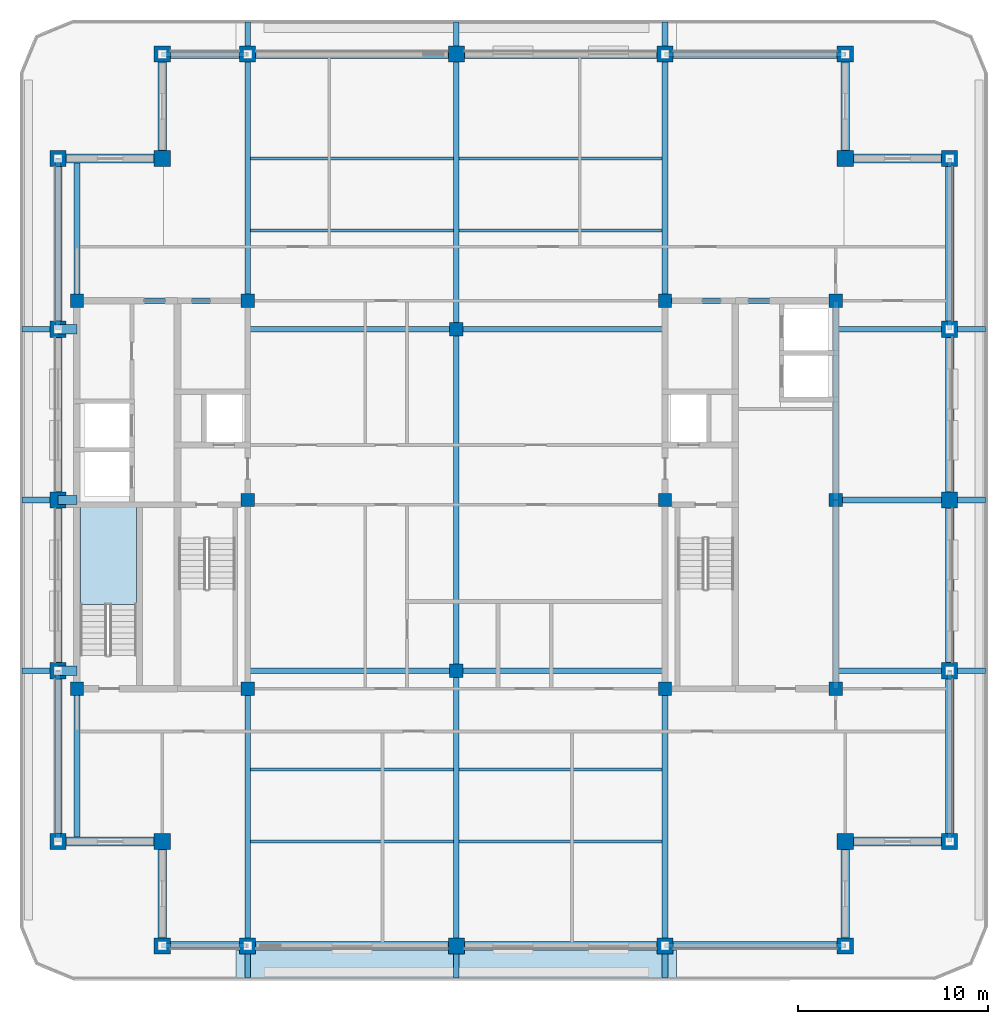
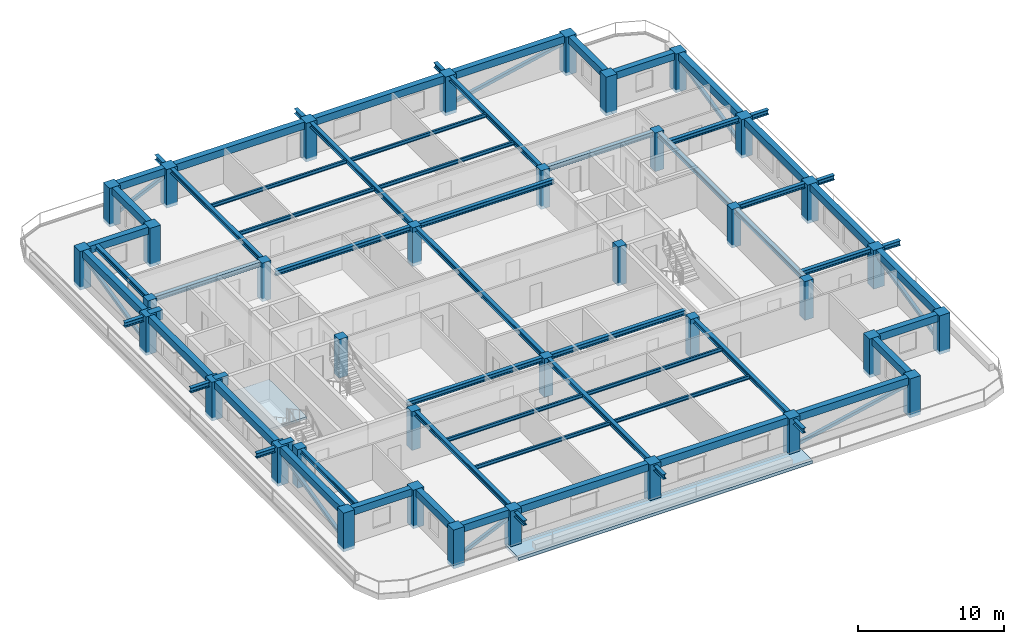
# One storey, part 1 of 11: 67 beams, 37 columns, 8 members, 2 slabs, 1 element without a shape of its own.
"""IFC4 building model written with IfcOpenShell, lengths in metres."""

import ifcopenshell
import ifcopenshell.guid

model = None  # the IFC model being written
_history = None  # IfcOwnerHistory: only IFC2X3 demands one
_inside = {}  # id of a spatial element -> (the spatial element, [elements in it])
_under = {}  # id of a project, library or spatial element -> (it, [spatial elements below it])
_declared = {}  # id of a project -> (the project, [libraries it declares])
_typed = {}  # id of a type object -> (the type object, [elements of that type])
_made_of = {}  # id of a material, layer set ... -> (it, [elements and type objects made of it])


def new_model(schema):
    """Start an empty IFC model of exactly this schema.

    Asked for "IFC4X3", IfcOpenShell would pick the latest addendum, in which some entities
    have other attributes; the version numbers below select the first issue.
    IFC2X3 requires an IfcOwnerHistory on every rooted entity: one is made here for all.
    """
    global model, _history
    if schema == "IFC4X3":
        model = ifcopenshell.file(schema_version=(4, 3, 0, 0))
    else:
        model = ifcopenshell.file(schema=schema)
    _inside.clear()
    _under.clear()
    _declared.clear()
    _typed.clear()
    _made_of.clear()
    _history = None
    if model.schema == "IFC2X3":
        org = make("IfcOrganization", Name="unknown")
        user = make(
            "IfcPersonAndOrganization",
            ThePerson=make("IfcPerson", FamilyName="unknown"),
            TheOrganization=org,
        )
        app = make(
            "IfcApplication",
            ApplicationDeveloper=org,
            Version="unknown",
            ApplicationFullName="unknown",
            ApplicationIdentifier="unknown",
        )
        _history = make(
            "IfcOwnerHistory",
            OwningUser=user,
            OwningApplication=app,
            ChangeAction="ADDED",
            CreationDate=0,
        )
    return model


def make(cls, **values):
    """One entity of the class cls with the attributes given. An attribute that is None is left unset."""
    return model.create_entity(
        cls, **{name: value for name, value in values.items() if value is not None}
    )


def rooted(cls, **values):
    """An entity with a GlobalId (a new one), such as an element, a storey or a relation."""
    return make(cls, GlobalId=ifcopenshell.guid.new(), OwnerHistory=_history, **values)


def si_unit(unit_type, name, prefix=None):
    """IfcSIUnit, for example si_unit("LENGTHUNIT", "METRE", prefix="MILLI")."""
    return make("IfcSIUnit", UnitType=unit_type, Prefix=prefix, Name=name)


def assignment(units):
    """IfcUnitAssignment: the units of a project."""
    return None if units is None else make("IfcUnitAssignment", Units=units)


def point(xyz):
    """IfcCartesianPoint."""
    return None if xyz is None else make("IfcCartesianPoint", Coordinates=xyz)


def direction(xyz):
    """IfcDirection."""
    return None if xyz is None else make("IfcDirection", DirectionRatios=xyz)


def frame(location, z_axis=None, x_axis=None):
    """IfcAxis2Placement3D, a coordinate frame: its origin and axes. An axis left out is left unset."""
    return make(
        "IfcAxis2Placement3D",
        Location=point(location),
        Axis=direction(z_axis),
        RefDirection=direction(x_axis),
    )


def frame_2d(location, x_axis=None):
    """IfcAxis2Placement2D, a coordinate frame in the plane: its origin and x axis."""
    return make(
        "IfcAxis2Placement2D", Location=point(location), RefDirection=direction(x_axis)
    )


def origin():
    """The frame at (0, 0, 0) with its axes left unset."""
    return frame((0.0, 0.0, 0.0))


def origin_2d():
    """The frame at (0, 0) in the plane with its x axis left unset."""
    return frame_2d((0.0, 0.0))


def place(relative_to, where):
    """IfcLocalPlacement: puts the frame where relative to a parent placement (None: the world)."""
    return make(
        "IfcLocalPlacement", PlacementRelTo=relative_to, RelativePlacement=where
    )


def context(
    kind, dimensions, precision=None, world=None, true_north=None, identifier=None
):
    """IfcGeometricRepresentationContext, for example the 3D "Model" context."""
    return make(
        "IfcGeometricRepresentationContext",
        ContextIdentifier=identifier,
        ContextType=kind,
        CoordinateSpaceDimension=dimensions,
        Precision=precision,
        WorldCoordinateSystem=world,
        TrueNorth=true_north,
    )


def subcontext(parent, identifier, kind, view, scale=None):
    """IfcGeometricRepresentationSubContext, for example "Body" below "Model"."""
    return make(
        "IfcGeometricRepresentationSubContext",
        ContextIdentifier=identifier,
        ContextType=kind,
        ParentContext=parent,
        TargetScale=scale,
        TargetView=view,
    )


def project(units=None, contexts=None):
    """IfcProject with its units and contexts."""
    return rooted(
        "IfcProject",
        Name="project",
        RepresentationContexts=contexts,
        UnitsInContext=assignment(units),
    )


def spatial(cls, under=None, at=None, **own):
    """A site, building, storey or space (cls), placed at a placement, below another one or the project."""
    s = rooted(cls, ObjectPlacement=at, **own)
    if under is not None:
        _under.setdefault(under.id(), (under, []))[1].append(s)
    return s


def polyline(points):
    """IfcPolyline through the points."""
    return make("IfcPolyline", Points=[point(p) for p in points])


def profile(cls, at=None, kind="AREA", **sizes):
    """A parametric profile (cls). Its sizes go by their IFC names, for example OverallWidth=200.0."""
    return make(cls, ProfileType=kind, Position=at, **sizes)


def rectangle(**sizes):
    """IfcRectangleProfileDef."""
    return profile("IfcRectangleProfileDef", **sizes)


def hollow_rectangle(**sizes):
    """IfcRectangleHollowProfileDef."""
    return profile("IfcRectangleHollowProfileDef", **sizes)


def i_section(**sizes):
    """IfcIShapeProfileDef."""
    return profile("IfcIShapeProfileDef", **sizes)


def outline(outer, holes=None, kind="AREA"):
    """IfcArbitraryClosedProfileDef: a profile drawn as a closed curve; with holes, ...WithVoids."""
    if holes is None:
        return make("IfcArbitraryClosedProfileDef", ProfileType=kind, OuterCurve=outer)
    return make(
        "IfcArbitraryProfileDefWithVoids",
        ProfileType=kind,
        OuterCurve=outer,
        InnerCurves=holes,
    )


def extrude(swept, where, along, depth):
    """IfcExtrudedAreaSolid: the profile swept, set in the frame where, extruded along a direction by depth."""
    return make(
        "IfcExtrudedAreaSolid",
        SweptArea=swept,
        Position=where,
        ExtrudedDirection=direction(along),
        Depth=depth,
    )


def shape(context_of_items, identifier, shape_type, items):
    """IfcShapeRepresentation: the items that make up one representation, for example the "Body"."""
    return make(
        "IfcShapeRepresentation",
        ContextOfItems=context_of_items,
        RepresentationIdentifier=identifier,
        RepresentationType=shape_type,
        Items=items,
    )


def material(Name=None, Category=None):
    """IfcMaterial."""
    return make("IfcMaterial", Name=Name, Category=Category)


def layer(
    of_material, thickness, ventilated=None, Name=None, Category=None, Priority=None
):
    """IfcMaterialLayer: one layer of a wall or slab, of a material (None: an air gap)."""
    return make(
        "IfcMaterialLayer",
        Material=of_material,
        LayerThickness=thickness,
        IsVentilated=ventilated,
        Name=Name,
        Category=Category,
        Priority=Priority,
    )


def layer_set(layers, Name=None):
    """IfcMaterialLayerSet."""
    return make("IfcMaterialLayerSet", MaterialLayers=layers, LayerSetName=Name)


def material_profile(
    of_material, cross_section, Name=None, Category=None, Priority=None
):
    """IfcMaterialProfile: a cross section and its material."""
    return make(
        "IfcMaterialProfile",
        Name=Name,
        Material=of_material,
        Profile=cross_section,
        Priority=Priority,
        Category=Category,
    )


def profile_set(profiles, Name=None, composite=None):
    """IfcMaterialProfileSet."""
    return make(
        "IfcMaterialProfileSet",
        Name=Name,
        MaterialProfiles=profiles,
        CompositeProfile=composite,
    )


def made_of(thing, what):
    """Note that an element or type object is made of a material, layer set ...; save() writes the relation."""
    if what is not None:
        _made_of.setdefault(what.id(), (what, []))[1].append(thing)
    return thing


def type_object(cls, material=None, **own):
    """A type object (cls), such as IfcWallType, which elements share."""
    return made_of(rooted(cls, **own), material)


def element(
    cls,
    number,
    at=None,
    inside=None,
    cuts=None,
    type_object=None,
    material=None,
    context=None,
    identifier="Body",
    shape_type=None,
    held_by="IfcProductDefinitionShape",
    body=None,
    shapes=None,
    **own,
):
    """One element of the class cls, such as IfcWall. Its Tag is "e" and its number.

    at: its placement. inside: the storey or other place that contains it. cuts: it is an
    opening in that element (IfcRelVoidsElement). A single representation is given by context,
    identifier, shape_type and body (its items); several are given by shapes. held_by: the class
    of the entity that holds the representations. save() writes the other relations.
    """
    e = rooted(cls, Tag="e%d" % number, ObjectPlacement=at, **own)
    if body is not None:
        shapes = [shape(context, identifier, shape_type, body)]
    if shapes is not None:
        e.Representation = make(held_by, Representations=shapes)
    if inside is not None:
        _inside.setdefault(inside.id(), (inside, []))[1].append(e)
    if cuts is not None:
        rooted(
            "IfcRelVoidsElement", RelatingBuildingElement=cuts, RelatedOpeningElement=e
        )
    if type_object is not None:
        _typed.setdefault(type_object.id(), (type_object, []))[1].append(e)
    return made_of(e, material)


def aggregate(whole, parts):
    """IfcRelAggregates: a whole, such as a stair, and the parts it consists of."""
    return rooted("IfcRelAggregates", RelatingObject=whole, RelatedObjects=parts)


def save(model, path):
    """Write the relations noted so far, then the file.

    IfcRelAggregates (storeys below a building ...), IfcRelContainedInSpatialStructure (elements
    in a storey), IfcRelDefinesByType, IfcRelAssociatesMaterial and IfcRelDeclares: one each for
    every whole, place, type object, material and project.
    """
    for whole, parts in _under.values():
        aggregate(whole, parts)
    for where, things in _inside.values():
        rooted(
            "IfcRelContainedInSpatialStructure",
            RelatedElements=things,
            RelatingStructure=where,
        )
    for kind, things in _typed.values():
        rooted("IfcRelDefinesByType", RelatedObjects=things, RelatingType=kind)
    for what, things in _made_of.values():
        rooted("IfcRelAssociatesMaterial", RelatedObjects=things, RelatingMaterial=what)
    for by, libraries in _declared.values():
        rooted("IfcRelDeclares", RelatingContext=by, RelatedDefinitions=libraries)
    model.write(path)


model = new_model("IFC4")

# Units and contexts
model_context = context("Model", 3, precision=1e-05, world=origin(), true_north=direction((0.0, 1.0)))
body_context = subcontext(model_context, "Body", "Model", "MODEL_VIEW")
ifc_project = project(units=[si_unit("LENGTHUNIT", "METRE"), si_unit("AREAUNIT", "SQUARE_METRE"), si_unit("VOLUMEUNIT", "CUBIC_METRE"), si_unit("PLANEANGLEUNIT", "RADIAN"), si_unit("MASSUNIT", "GRAM", prefix="KILO")], contexts=[model_context])

# Site, building, storey
site_placement = place(None, origin())
site = spatial("IfcSite", under=ifc_project, at=site_placement, CompositionType="ELEMENT")
building_placement = place(site_placement, origin())
building = spatial("IfcBuilding", under=site, at=building_placement, Name="Zulmaris Gate Convention Tower", CompositionType="ELEMENT")
storey_placement = place(building_placement, frame((0.0, 0.0, 236.510009765625)))
storey = spatial("IfcBuildingStorey", under=building, at=storey_placement, Name="L62", CompositionType="ELEMENT", Elevation=236.510009765625)

# Columns
ifc_material_1 = material(Name="Concrete C50/60", Category="concrete")
ifc_material_profile_1 = material_profile(ifc_material_1, rectangle(XDim=0.699951171875, YDim=0.699951171875, at=origin_2d()), Name="RC COL 700x700")
ifc_profile_set_1 = profile_set([ifc_material_profile_1], Name="Concrete C50/60")
column_type_1 = type_object("IfcColumnType", Name="COL-RC700", PredefinedType="COLUMN", material=ifc_profile_set_1)
for number, where, z_axis, x_axis, name in (
    (1, (-20.0, -9.949951171875, -0.25), (0.0, 0.0, 1.0), (1.0, 0.0, 0.0), "L62 Column IN--20.00_-9.95"),
    (2, (-20.0, 10.5, -0.25), (0.0, 0.0, 1.0), (1.0, 0.0, 0.0), "L62 Column IN--20.00_+10.50"),
    (3, (-11.0, -9.949951171875, -0.25), (0.0, 0.0, 1.0), (1.0, 0.0, 0.0), "L62 Column IN--11.00_-9.95"),
    (4, (-11.0, 0.0, -0.25), (0.0, 0.0, 1.0), (1.0, 0.0, 0.0), "L62 Column IN--11.00_+0.00"),
    (5, (-11.0, 10.5, -0.25), (0.0, 0.0, 1.0), (1.0, 0.0, 0.0), "L62 Column IN--11.00_+10.50"),
    (6, (11.0, -9.949951171875, -0.25), (0.0, 0.0, 1.0), (1.0, 0.0, 0.0), "L62 Column IN-+11.00_-9.95"),
    (7, (11.0, 0.0, -0.25), (0.0, 0.0, 1.0), (1.0, 0.0, 0.0), "L62 Column IN-+11.00_+0.00"),
    (8, (11.0, 10.5, -0.25), (0.0, 0.0, 1.0), (1.0, 0.0, 0.0), "L62 Column IN-+11.00_+10.50"),
    (9, (20.0, -9.949951171875, -0.25), (0.0, 0.0, 1.0), (1.0, 0.0, 0.0), "L62 Column IN-+20.00_-9.95"),
    (10, (20.0, 10.5, -0.25), (0.0, 0.0, 1.0), (1.0, 0.0, 0.0), "L62 Column IN-+20.00_+10.50"),
    (11, (0.0, -9.0, -0.25), (0.0, 0.0, 1.0), (1.0, 0.0, 0.0), "L62 Column IN-+0.00_-9.00"),
    (12, (0.0, 9.0, -0.25), (0.0, 0.0, 1.0), (1.0, 0.0, 0.0), "L62 Column IN-+0.00_+9.00"),
    (13, (20.0, 0.0, -0.25), (0.0, 0.0, 1.0), (1.0, 0.0, 0.0), "L62 Column IN-+20.00_+0.00"),
):
    element("IfcColumn", number, at=place(storey_placement, frame(where, z_axis=z_axis, x_axis=x_axis)), inside=storey, type_object=column_type_1, Name=name, PredefinedType="COLUMN", context=body_context, shape_type="SweptSolid", body=[
        extrude(rectangle(XDim=0.699951171875, YDim=0.699951171875, at=origin_2d()), origin(), (0.0, 0.0, 1.0), 3.22998046875),
    ])
ifc_material_2 = material(Name="Concrete C60/75", Category="concrete")
ifc_material_profile_2 = material_profile(ifc_material_2, rectangle(XDim=0.85009765625, YDim=0.85009765625, at=origin_2d()), Name="RC COL 850x850")
ifc_profile_set_2 = profile_set([ifc_material_profile_2], Name="Concrete C60/75")
column_type_2 = type_object("IfcColumnType", Name="COL-RC850", PredefinedType="COLUMN", material=ifc_profile_set_2)
for number, where, z_axis, x_axis, name in (
    (14, (-15.5, -23.5, -0.25), (0.0, 0.0, 1.0), (1.0, 0.0, 0.0), "L62 Column PT--15.50_-23.50"),
    (15, (-11.0, -23.5, -0.25), (0.0, 0.0, 1.0), (1.0, 0.0, 0.0), "L62 Column PT--11.00_-23.50"),
    (16, (0.0, -23.5, -0.25), (0.0, 0.0, 1.0), (1.0, 0.0, 0.0), "L62 Column PT-+0.00_-23.50"),
    (17, (11.0, -23.5, -0.25), (0.0, 0.0, 1.0), (1.0, 0.0, 0.0), "L62 Column PT-+11.00_-23.50"),
    (18, (20.5, -23.5, -0.25), (0.0, 0.0, 1.0), (1.0, 0.0, 0.0), "L62 Column PT-+20.50_-23.50"),
    (19, (-15.5, 23.5, -0.25), (0.0, 0.0, 1.0), (1.0, 0.0, 0.0), "L62 Column PT--15.50_+23.50"),
    (20, (-11.0, 23.5, -0.25), (0.0, 0.0, 1.0), (1.0, 0.0, 0.0), "L62 Column PT--11.00_+23.50"),
    (21, (0.0, 23.5, -0.25), (0.0, 0.0, 1.0), (1.0, 0.0, 0.0), "L62 Column PT-+0.00_+23.50"),
    (22, (11.0, 23.5, -0.25), (0.0, 0.0, 1.0), (1.0, 0.0, 0.0), "L62 Column PT-+11.00_+23.50"),
    (23, (20.5, 23.5, -0.25), (0.0, 0.0, 1.0), (1.0, 0.0, 0.0), "L62 Column PT-+20.50_+23.50"),
    (24, (-21.0, -18.0, -0.25), (0.0, 0.0, 1.0), (1.0, 0.0, 0.0), "L62 Column PT--21.00_-18.00"),
    (25, (-21.0, -9.0, -0.25), (0.0, 0.0, 1.0), (1.0, 0.0, 0.0), "L62 Column PT--21.00_-9.00"),
    (26, (-21.0, 0.0, -0.25), (0.0, 0.0, 1.0), (1.0, 0.0, 0.0), "L62 Column PT--21.00_+0.00"),
    (27, (-21.0, 9.0, -0.25), (0.0, 0.0, 1.0), (1.0, 0.0, 0.0), "L62 Column PT--21.00_+9.00"),
    (28, (-21.0, 18.0, -0.25), (0.0, 0.0, 1.0), (1.0, 0.0, 0.0), "L62 Column PT--21.00_+18.00"),
    (29, (26.0, -18.0, -0.25), (0.0, 0.0, 1.0), (1.0, 0.0, 0.0), "L62 Column PT-+26.00_-18.00"),
    (30, (26.0, -9.0, -0.25), (0.0, 0.0, 1.0), (1.0, 0.0, 0.0), "L62 Column PT-+26.00_-9.00"),
    (31, (26.0, 0.0, -0.25), (0.0, 0.0, 1.0), (1.0, 0.0, 0.0), "L62 Column PT-+26.00_+0.00"),
    (32, (26.0, 9.0, -0.25), (0.0, 0.0, 1.0), (1.0, 0.0, 0.0), "L62 Column PT-+26.00_+9.00"),
    (33, (26.0, 18.0, -0.25), (0.0, 0.0, 1.0), (1.0, 0.0, 0.0), "L62 Column PT-+26.00_+18.00"),
    (34, (-15.5, -18.0, -0.25), (0.0, 0.0, 1.0), (1.0, 0.0, 0.0), "L62 Column PT--15.50_-18.00"),
    (35, (20.5, -18.0, -0.25), (0.0, 0.0, 1.0), (1.0, 0.0, 0.0), "L62 Column PT-+20.50_-18.00"),
    (36, (20.5, 18.0, -0.25), (0.0, 0.0, 1.0), (1.0, 0.0, 0.0), "L62 Column PT-+20.50_+18.00"),
    (37, (-15.5, 18.0, -0.25), (0.0, 0.0, 1.0), (1.0, 0.0, 0.0), "L62 Column PT--15.50_+18.00"),
):
    element("IfcColumn", number, at=place(storey_placement, frame(where, z_axis=z_axis, x_axis=x_axis)), inside=storey, type_object=column_type_2, Name=name, PredefinedType="COLUMN", context=body_context, shape_type="SweptSolid", body=[
        extrude(rectangle(XDim=0.85009765625, YDim=0.85009765625, at=origin_2d()), origin(), (0.0, 0.0, 1.0), 3.22998046875),
    ])

# Beams
ifc_material_3 = material(Name="Steel S355", Category="steel")
ifc_material_profile_3 = material_profile(ifc_material_3, i_section(OverallWidth=0.300048828125, OverallDepth=0.39990234375, WebThickness=0.013427734375, FlangeThickness=0.02392578125, FilletRadius=0.027099609375, at=origin_2d()), Name="HEB 400")
ifc_profile_set_3 = profile_set([ifc_material_profile_3], Name="Steel S355")
beam_type_1 = type_object("IfcBeamType", Name="BM-HEB400", PredefinedType="BEAM", material=ifc_profile_set_3)
for number, where, z_axis, x_axis, name in (
    (38, (-11.0, -25.199951171875, 2.639892578125), (0.0, 1.0, 0.0), (-1.0, 0.0, 0.0), "L62 Beam TBRK-L62-S--11"),
    (39, (-11.0, 23.5, 2.639892578125), (0.0, 1.0, 0.0), (-1.0, 0.0, 0.0), "L62 Beam TBRK-L62-N--11"),
    (40, (0.0, -25.199951171875, 2.639892578125), (0.0, 1.0, 0.0), (-1.0, 0.0, 0.0), "L62 Beam TBRK-L62-S-+0"),
    (41, (0.0, 23.5, 2.639892578125), (0.0, 1.0, 0.0), (-1.0, 0.0, 0.0), "L62 Beam TBRK-L62-N-+0"),
    (42, (11.0, -25.199951171875, 2.639892578125), (0.0, 1.0, 0.0), (-1.0, 0.0, 0.0), "L62 Beam TBRK-L62-S-+11"),
    (43, (11.0, 23.5, 2.639892578125), (0.0, 1.0, 0.0), (-1.0, 0.0, 0.0), "L62 Beam TBRK-L62-N-+11"),
):
    element("IfcBeam", number, at=place(storey_placement, frame(where, z_axis=z_axis, x_axis=x_axis)), inside=storey, type_object=beam_type_1, Name=name, PredefinedType="BEAM", context=body_context, shape_type="SweptSolid", body=[
        extrude(i_section(OverallWidth=0.300048828125, OverallDepth=0.39990234375, WebThickness=0.013427734375, FlangeThickness=0.02392578125, FilletRadius=0.027099609375, at=origin_2d()), origin(), (0.0, 0.0, 1.0), 1.699951171875),
    ])
for number, where, z_axis, x_axis, name in (
    (44, (-22.89990234375, -9.0, 2.639892578125), (1.0, 0.0, 0.0), (0.0, 1.0, 0.0), "L62 Beam TBRK-L62-W--9"),
    (45, (26.0, -9.0, 2.639892578125), (1.0, 0.0, 0.0), (0.0, 1.0, 0.0), "L62 Beam TBRK-L62-E--9"),
    (46, (-22.89990234375, 0.0, 2.639892578125), (1.0, 0.0, 0.0), (0.0, 1.0, 0.0), "L62 Beam TBRK-L62-W-+0"),
    (47, (26.0, 0.0, 2.639892578125), (1.0, 0.0, 0.0), (0.0, 1.0, 0.0), "L62 Beam TBRK-L62-E-+0"),
    (48, (-22.89990234375, 9.0, 2.639892578125), (1.0, 0.0, 0.0), (0.0, 1.0, 0.0), "L62 Beam TBRK-L62-W-+9"),
    (49, (26.0, 9.0, 2.639892578125), (1.0, 0.0, 0.0), (0.0, 1.0, 0.0), "L62 Beam TBRK-L62-E-+9"),
):
    element("IfcBeam", number, at=place(storey_placement, frame(where, z_axis=z_axis, x_axis=x_axis)), inside=storey, type_object=beam_type_1, Name=name, PredefinedType="BEAM", context=body_context, shape_type="SweptSolid", body=[
        extrude(i_section(OverallWidth=0.300048828125, OverallDepth=0.39990234375, WebThickness=0.013427734375, FlangeThickness=0.02392578125, FilletRadius=0.027099609375, at=origin_2d()), origin(), (0.0, 0.0, 1.0), 1.89990234375),
    ])
for number, where, z_axis, x_axis, name in (
    (50, (-11.0, -9.0, 2.778076171875), (1.0, 0.0, 0.0), (0.0, 1.0, 0.0), "L62 Beam BM-L62-G01"),
    (51, (0.0, -9.0, 2.778076171875), (1.0, 0.0, 0.0), (0.0, 1.0, 0.0), "L62 Beam BM-L62-G02"),
    (52, (-11.0, 9.0, 2.778076171875), (1.0, 0.0, 0.0), (0.0, 1.0, 0.0), "L62 Beam BM-L62-G03"),
    (53, (0.0, 9.0, 2.778076171875), (1.0, 0.0, 0.0), (0.0, 1.0, 0.0), "L62 Beam BM-L62-G04"),
):
    element("IfcBeam", number, at=place(storey_placement, frame(where, z_axis=z_axis, x_axis=x_axis)), inside=storey, type_object=beam_type_1, Name=name, PredefinedType="BEAM", context=body_context, shape_type="SweptSolid", body=[
        extrude(i_section(OverallWidth=0.300048828125, OverallDepth=0.39990234375, WebThickness=0.013427734375, FlangeThickness=0.02392578125, FilletRadius=0.027099609375, at=origin_2d()), origin(), (0.0, 0.0, 1.0), 11.0),
    ])
beam_1_placement = place(storey_placement, frame((0.0, -23.5, 2.778076171875), z_axis=(0.0, 1.0, 0.0), x_axis=(-1.0, 0.0, 0.0)))
element("IfcBeam", 54, at=beam_1_placement, inside=storey, type_object=beam_type_1, Name="L62 Beam BM-L62-G05", PredefinedType="BEAM", context=body_context, shape_type="SweptSolid", body=[
    extrude(i_section(OverallWidth=0.300048828125, OverallDepth=0.39990234375, WebThickness=0.013427734375, FlangeThickness=0.02392578125, FilletRadius=0.027099609375, at=origin_2d()), origin(), (0.0, 0.0, 1.0), 14.5),
])
beam_2_placement = place(storey_placement, frame((0.0, -9.0, 2.778076171875), z_axis=(0.0, 1.0, 0.0), x_axis=(-1.0, 0.0, 0.0)))
element("IfcBeam", 55, at=beam_2_placement, inside=storey, type_object=beam_type_1, Name="L62 Beam BM-L62-G06", PredefinedType="BEAM", context=body_context, shape_type="SweptSolid", body=[
    extrude(i_section(OverallWidth=0.300048828125, OverallDepth=0.39990234375, WebThickness=0.013427734375, FlangeThickness=0.02392578125, FilletRadius=0.027099609375, at=origin_2d()), origin(), (0.0, 0.0, 1.0), 18.0),
])
beam_3_placement = place(storey_placement, frame((0.0, 9.0, 2.778076171875), z_axis=(0.0, 1.0, 0.0), x_axis=(-1.0, 0.0, 0.0)))
element("IfcBeam", 56, at=beam_3_placement, inside=storey, type_object=beam_type_1, Name="L62 Beam BM-L62-G07", PredefinedType="BEAM", context=body_context, shape_type="SweptSolid", body=[
    extrude(i_section(OverallWidth=0.300048828125, OverallDepth=0.39990234375, WebThickness=0.013427734375, FlangeThickness=0.02392578125, FilletRadius=0.027099609375, at=origin_2d()), origin(), (0.0, 0.0, 1.0), 14.5),
])
beam_4_placement = place(storey_placement, frame((-11.0, -23.5, 2.778076171875), z_axis=(0.0, 1.0, 0.0), x_axis=(-1.0, 0.0, 0.0)))
element("IfcBeam", 57, at=beam_4_placement, inside=storey, type_object=beam_type_1, Name="L62 Beam BM-L62-G08", PredefinedType="BEAM", context=body_context, shape_type="SweptSolid", body=[
    extrude(i_section(OverallWidth=0.300048828125, OverallDepth=0.39990234375, WebThickness=0.013427734375, FlangeThickness=0.02392578125, FilletRadius=0.027099609375, at=origin_2d()), origin(), (0.0, 0.0, 1.0), 13.550048828125),
])
beam_5_placement = place(storey_placement, frame((-11.0, 10.5, 2.778076171875), z_axis=(0.0, 1.0, 0.0), x_axis=(-1.0, 0.0, 0.0)))
element("IfcBeam", 58, at=beam_5_placement, inside=storey, type_object=beam_type_1, Name="L62 Beam BM-L62-G09", PredefinedType="BEAM", context=body_context, shape_type="SweptSolid", body=[
    extrude(i_section(OverallWidth=0.300048828125, OverallDepth=0.39990234375, WebThickness=0.013427734375, FlangeThickness=0.02392578125, FilletRadius=0.027099609375, at=origin_2d()), origin(), (0.0, 0.0, 1.0), 13.0),
])
beam_6_placement = place(storey_placement, frame((11.0, -23.5, 2.778076171875), z_axis=(0.0, 1.0, 0.0), x_axis=(-1.0, 0.0, 0.0)))
element("IfcBeam", 59, at=beam_6_placement, inside=storey, type_object=beam_type_1, Name="L62 Beam BM-L62-G10", PredefinedType="BEAM", context=body_context, shape_type="SweptSolid", body=[
    extrude(i_section(OverallWidth=0.300048828125, OverallDepth=0.39990234375, WebThickness=0.013427734375, FlangeThickness=0.02392578125, FilletRadius=0.027099609375, at=origin_2d()), origin(), (0.0, 0.0, 1.0), 13.550048828125),
])
beam_7_placement = place(storey_placement, frame((11.0, 10.5, 2.778076171875), z_axis=(0.0, 1.0, 0.0), x_axis=(-1.0, 0.0, 0.0)))
element("IfcBeam", 60, at=beam_7_placement, inside=storey, type_object=beam_type_1, Name="L62 Beam BM-L62-G11", PredefinedType="BEAM", context=body_context, shape_type="SweptSolid", body=[
    extrude(i_section(OverallWidth=0.300048828125, OverallDepth=0.39990234375, WebThickness=0.013427734375, FlangeThickness=0.02392578125, FilletRadius=0.027099609375, at=origin_2d()), origin(), (0.0, 0.0, 1.0), 13.0),
])
beam_8_placement = place(storey_placement, frame((-20.0, -18.0, 2.778076171875), z_axis=(0.0, 1.0, 0.0), x_axis=(-1.0, 0.0, 0.0)))
element("IfcBeam", 61, at=beam_8_placement, inside=storey, type_object=beam_type_1, Name="L62 Beam BM-L62-G12", PredefinedType="BEAM", context=body_context, shape_type="SweptSolid", body=[
    extrude(i_section(OverallWidth=0.300048828125, OverallDepth=0.39990234375, WebThickness=0.013427734375, FlangeThickness=0.02392578125, FilletRadius=0.027099609375, at=origin_2d()), origin(), (0.0, 0.0, 1.0), 8.050048828125),
])
beam_9_placement = place(storey_placement, frame((-20.0, 10.5, 2.778076171875), z_axis=(0.0, 1.0, 0.0), x_axis=(-1.0, 0.0, 0.0)))
element("IfcBeam", 62, at=beam_9_placement, inside=storey, type_object=beam_type_1, Name="L62 Beam BM-L62-G13", PredefinedType="BEAM", context=body_context, shape_type="SweptSolid", body=[
    extrude(i_section(OverallWidth=0.300048828125, OverallDepth=0.39990234375, WebThickness=0.013427734375, FlangeThickness=0.02392578125, FilletRadius=0.027099609375, at=origin_2d()), origin(), (0.0, 0.0, 1.0), 7.5),
])
for number, where, z_axis, x_axis, name in (
    (63, (20.0, -9.0, 2.778076171875), (1.0, 0.0, 0.0), (0.0, 1.0, 0.0), "L62 Beam BM-L62-G19"),
    (64, (20.0, 0.0, 2.778076171875), (1.0, 0.0, 0.0), (0.0, 1.0, 0.0), "L62 Beam BM-L62-G20"),
    (65, (20.0, 9.0, 2.778076171875), (1.0, 0.0, 0.0), (0.0, 1.0, 0.0), "L62 Beam BM-L62-G21"),
):
    element("IfcBeam", number, at=place(storey_placement, frame(where, z_axis=z_axis, x_axis=x_axis)), inside=storey, type_object=beam_type_1, Name=name, PredefinedType="BEAM", context=body_context, shape_type="SweptSolid", body=[
        extrude(i_section(OverallWidth=0.300048828125, OverallDepth=0.39990234375, WebThickness=0.013427734375, FlangeThickness=0.02392578125, FilletRadius=0.027099609375, at=origin_2d()), origin(), (0.0, 0.0, 1.0), 6.0),
    ])
for number, where, z_axis, x_axis, name in (
    (66, (-20.0, 10.5, 2.778076171875), (1.0, 0.0, 0.0), (0.0, 1.0, 0.0), "L62 Beam BM-L62-G23"),
    (67, (11.0, 10.5, 2.778076171875), (1.0, 0.0, 0.0), (0.0, 1.0, 0.0), "L62 Beam BM-L62-G25"),
):
    element("IfcBeam", number, at=place(storey_placement, frame(where, z_axis=z_axis, x_axis=x_axis)), inside=storey, type_object=beam_type_1, Name=name, PredefinedType="BEAM", context=body_context, shape_type="SweptSolid", body=[
        extrude(i_section(OverallWidth=0.300048828125, OverallDepth=0.39990234375, WebThickness=0.013427734375, FlangeThickness=0.02392578125, FilletRadius=0.027099609375, at=origin_2d()), origin(), (0.0, 0.0, 1.0), 9.0),
    ])
beam_10_placement = place(storey_placement, frame((20.0, -9.949951171875, 2.778076171875), z_axis=(0.0, 1.0, 0.0), x_axis=(-1.0, 0.0, 0.0)))
element("IfcBeam", 68, at=beam_10_placement, inside=storey, type_object=beam_type_1, Name="L62 Beam BM-L62-G28", PredefinedType="BEAM", context=body_context, shape_type="SweptSolid", body=[
    extrude(i_section(OverallWidth=0.300048828125, OverallDepth=0.39990234375, WebThickness=0.013427734375, FlangeThickness=0.02392578125, FilletRadius=0.027099609375, at=origin_2d()), origin(), (0.0, 0.0, 1.0), 9.949951171875),
])
beam_11_placement = place(storey_placement, frame((20.0, 0.0, 2.778076171875), z_axis=(0.0, 1.0, 0.0), x_axis=(-1.0, 0.0, 0.0)))
element("IfcBeam", 69, at=beam_11_placement, inside=storey, type_object=beam_type_1, Name="L62 Beam BM-L62-G29", PredefinedType="BEAM", context=body_context, shape_type="SweptSolid", body=[
    extrude(i_section(OverallWidth=0.300048828125, OverallDepth=0.39990234375, WebThickness=0.013427734375, FlangeThickness=0.02392578125, FilletRadius=0.027099609375, at=origin_2d()), origin(), (0.0, 0.0, 1.0), 10.5),
])
ifc_material_profile_4 = material_profile(ifc_material_1, rectangle(XDim=0.5, YDim=0.800048828125, at=origin_2d()), Name="RC BEAM 500x800")
ifc_profile_set_4 = profile_set([ifc_material_profile_4], Name="Concrete C50/60")
beam_type_2 = type_object("IfcBeamType", Name="BM-RC500x800", PredefinedType="BEAM", material=ifc_profile_set_4)
for number, where, z_axis, x_axis, name in (
    (70, (-21.0, -9.0, 2.580078125), (1.0, 0.0, 0.0), (0.0, 1.0, 0.0), "L62 Beam BM-L62-G16"),
    (71, (-21.0, 0.0, 2.580078125), (1.0, 0.0, 0.0), (0.0, 1.0, 0.0), "L62 Beam BM-L62-G17"),
    (72, (-21.0, 9.0, 2.580078125), (1.0, 0.0, 0.0), (0.0, 1.0, 0.0), "L62 Beam BM-L62-G18"),
):
    element("IfcBeam", number, at=place(storey_placement, frame(where, z_axis=z_axis, x_axis=x_axis)), inside=storey, type_object=beam_type_2, Name=name, PredefinedType="BEAM", context=body_context, shape_type="SweptSolid", body=[
        extrude(rectangle(XDim=0.5, YDim=0.800048828125, at=origin_2d()), origin(), (0.0, 0.0, 1.0), 1.0),
    ])
ifc_material_4 = material(Name="Precast concrete C50/60", Category="concrete")
ifc_material_profile_5 = material_profile(ifc_material_4, rectangle(XDim=0.449951171875, YDim=0.60009765625, at=origin_2d()), Name="RC SPANDREL 450x600")
ifc_profile_set_5 = profile_set([ifc_material_profile_5], Name="Precast concrete C50/60")
beam_type_3 = type_object("IfcBeamType", Name="BM-SP450x600", PredefinedType="SPANDREL", material=ifc_profile_set_5)
beam_12_placement = place(storey_placement, frame((-15.5, -23.5, 2.679931640625), z_axis=(1.0, 0.0, 0.0), x_axis=(0.0, 1.0, 0.0)))
element("IfcBeam", 73, at=beam_12_placement, inside=storey, type_object=beam_type_3, Name="L62 Spandrel SP-L62-01", PredefinedType="SPANDREL", context=body_context, shape_type="SweptSolid", body=[
    extrude(rectangle(XDim=0.449951171875, YDim=0.60009765625, at=origin_2d()), origin(), (0.0, 0.0, 1.0), 4.5),
])
for number, where, z_axis, x_axis, name in (
    (74, (-11.0, -23.5, 2.679931640625), (1.0, 0.0, 0.0), (0.0, 1.0, 0.0), "L62 Spandrel SP-L62-02"),
    (75, (0.0, -23.5, 2.679931640625), (1.0, 0.0, 0.0), (0.0, 1.0, 0.0), "L62 Spandrel SP-L62-03"),
):
    element("IfcBeam", number, at=place(storey_placement, frame(where, z_axis=z_axis, x_axis=x_axis)), inside=storey, type_object=beam_type_3, Name=name, PredefinedType="SPANDREL", context=body_context, shape_type="SweptSolid", body=[
        extrude(rectangle(XDim=0.449951171875, YDim=0.60009765625, at=origin_2d()), origin(), (0.0, 0.0, 1.0), 11.0),
    ])
beam_13_placement = place(storey_placement, frame((11.0, -23.5, 2.679931640625), z_axis=(1.0, 0.0, 0.0), x_axis=(0.0, 1.0, 0.0)))
element("IfcBeam", 76, at=beam_13_placement, inside=storey, type_object=beam_type_3, Name="L62 Spandrel SP-L62-04", PredefinedType="SPANDREL", context=body_context, shape_type="SweptSolid", body=[
    extrude(rectangle(XDim=0.449951171875, YDim=0.60009765625, at=origin_2d()), origin(), (0.0, 0.0, 1.0), 9.5),
])
for number, where, z_axis, x_axis, name in (
    (77, (20.5, -23.5, 2.679931640625), (0.0, 1.0, 0.0), (-1.0, 0.0, 0.0), "L62 Spandrel SP-L62-05"),
    (78, (20.5, -18.0, 2.679931640625), (1.0, 0.0, 0.0), (0.0, 1.0, 0.0), "L62 Spandrel SP-L62-06"),
):
    element("IfcBeam", number, at=place(storey_placement, frame(where, z_axis=z_axis, x_axis=x_axis)), inside=storey, type_object=beam_type_3, Name=name, PredefinedType="SPANDREL", context=body_context, shape_type="SweptSolid", body=[
        extrude(rectangle(XDim=0.449951171875, YDim=0.60009765625, at=origin_2d()), origin(), (0.0, 0.0, 1.0), 5.5),
    ])
for number, where, z_axis, x_axis, name in (
    (79, (26.0, -18.0, 2.679931640625), (0.0, 1.0, 0.0), (-1.0, 0.0, 0.0), "L62 Spandrel SP-L62-07"),
    (80, (26.0, -9.0, 2.679931640625), (0.0, 1.0, 0.0), (-1.0, 0.0, 0.0), "L62 Spandrel SP-L62-08"),
    (81, (26.0, 0.0, 2.679931640625), (0.0, 1.0, 0.0), (-1.0, 0.0, 0.0), "L62 Spandrel SP-L62-09"),
    (82, (26.0, 9.0, 2.679931640625), (0.0, 1.0, 0.0), (-1.0, 0.0, 0.0), "L62 Spandrel SP-L62-10"),
):
    element("IfcBeam", number, at=place(storey_placement, frame(where, z_axis=z_axis, x_axis=x_axis)), inside=storey, type_object=beam_type_3, Name=name, PredefinedType="SPANDREL", context=body_context, shape_type="SweptSolid", body=[
        extrude(rectangle(XDim=0.449951171875, YDim=0.60009765625, at=origin_2d()), origin(), (0.0, 0.0, 1.0), 9.0),
    ])
for number, where, z_axis, x_axis, name in (
    (83, (26.0, 18.0, 2.679931640625), (-1.0, 0.0, 0.0), (0.0, -1.0, 0.0), "L62 Spandrel SP-L62-11"),
    (84, (20.5, 18.0, 2.679931640625), (0.0, 1.0, 0.0), (-1.0, 0.0, 0.0), "L62 Spandrel SP-L62-12"),
):
    element("IfcBeam", number, at=place(storey_placement, frame(where, z_axis=z_axis, x_axis=x_axis)), inside=storey, type_object=beam_type_3, Name=name, PredefinedType="SPANDREL", context=body_context, shape_type="SweptSolid", body=[
        extrude(rectangle(XDim=0.449951171875, YDim=0.60009765625, at=origin_2d()), origin(), (0.0, 0.0, 1.0), 5.5),
    ])
beam_14_placement = place(storey_placement, frame((20.5, 23.5, 2.679931640625), z_axis=(-1.0, 0.0, 0.0), x_axis=(0.0, -1.0, 0.0)))
element("IfcBeam", 85, at=beam_14_placement, inside=storey, type_object=beam_type_3, Name="L62 Spandrel SP-L62-13", PredefinedType="SPANDREL", context=body_context, shape_type="SweptSolid", body=[
    extrude(rectangle(XDim=0.449951171875, YDim=0.60009765625, at=origin_2d()), origin(), (0.0, 0.0, 1.0), 9.5),
])
for number, where, z_axis, x_axis, name in (
    (86, (11.0, 23.5, 2.679931640625), (-1.0, 0.0, 0.0), (0.0, -1.0, 0.0), "L62 Spandrel SP-L62-14"),
    (87, (0.0, 23.5, 2.679931640625), (-1.0, 0.0, 0.0), (0.0, -1.0, 0.0), "L62 Spandrel SP-L62-15"),
):
    element("IfcBeam", number, at=place(storey_placement, frame(where, z_axis=z_axis, x_axis=x_axis)), inside=storey, type_object=beam_type_3, Name=name, PredefinedType="SPANDREL", context=body_context, shape_type="SweptSolid", body=[
        extrude(rectangle(XDim=0.449951171875, YDim=0.60009765625, at=origin_2d()), origin(), (0.0, 0.0, 1.0), 11.0),
    ])
beam_15_placement = place(storey_placement, frame((-11.0, 23.5, 2.679931640625), z_axis=(-1.0, 0.0, 0.0), x_axis=(0.0, -1.0, 0.0)))
element("IfcBeam", 88, at=beam_15_placement, inside=storey, type_object=beam_type_3, Name="L62 Spandrel SP-L62-16", PredefinedType="SPANDREL", context=body_context, shape_type="SweptSolid", body=[
    extrude(rectangle(XDim=0.449951171875, YDim=0.60009765625, at=origin_2d()), origin(), (0.0, 0.0, 1.0), 4.5),
])
for number, where, z_axis, x_axis, name in (
    (89, (-15.5, 23.5, 2.679931640625), (0.0, -1.0, 0.0), (1.0, 0.0, 0.0), "L62 Spandrel SP-L62-17"),
    (90, (-15.5, 18.0, 2.679931640625), (-1.0, 0.0, 0.0), (0.0, -1.0, 0.0), "L62 Spandrel SP-L62-18"),
):
    element("IfcBeam", number, at=place(storey_placement, frame(where, z_axis=z_axis, x_axis=x_axis)), inside=storey, type_object=beam_type_3, Name=name, PredefinedType="SPANDREL", context=body_context, shape_type="SweptSolid", body=[
        extrude(rectangle(XDim=0.449951171875, YDim=0.60009765625, at=origin_2d()), origin(), (0.0, 0.0, 1.0), 5.5),
    ])
for number, where, z_axis, x_axis, name in (
    (91, (-21.0, 18.0, 2.679931640625), (0.0, -1.0, 0.0), (1.0, 0.0, 0.0), "L62 Spandrel SP-L62-19"),
    (92, (-21.0, 9.0, 2.679931640625), (0.0, -1.0, 0.0), (1.0, 0.0, 0.0), "L62 Spandrel SP-L62-20"),
    (93, (-21.0, 0.0, 2.679931640625), (0.0, -1.0, 0.0), (1.0, 0.0, 0.0), "L62 Spandrel SP-L62-21"),
    (94, (-21.0, -9.0, 2.679931640625), (0.0, -1.0, 0.0), (1.0, 0.0, 0.0), "L62 Spandrel SP-L62-22"),
):
    element("IfcBeam", number, at=place(storey_placement, frame(where, z_axis=z_axis, x_axis=x_axis)), inside=storey, type_object=beam_type_3, Name=name, PredefinedType="SPANDREL", context=body_context, shape_type="SweptSolid", body=[
        extrude(rectangle(XDim=0.449951171875, YDim=0.60009765625, at=origin_2d()), origin(), (0.0, 0.0, 1.0), 9.0),
    ])
for number, where, z_axis, x_axis, name in (
    (95, (-21.0, -18.0, 2.679931640625), (1.0, 0.0, 0.0), (0.0, 1.0, 0.0), "L62 Spandrel SP-L62-23"),
    (96, (-15.5, -18.0, 2.679931640625), (0.0, -1.0, 0.0), (1.0, 0.0, 0.0), "L62 Spandrel SP-L62-24"),
):
    element("IfcBeam", number, at=place(storey_placement, frame(where, z_axis=z_axis, x_axis=x_axis)), inside=storey, type_object=beam_type_3, Name=name, PredefinedType="SPANDREL", context=body_context, shape_type="SweptSolid", body=[
        extrude(rectangle(XDim=0.449951171875, YDim=0.60009765625, at=origin_2d()), origin(), (0.0, 0.0, 1.0), 5.5),
    ])

# Members
ifc_material_profile_6 = material_profile(ifc_material_3, hollow_rectangle(XDim=0.25, YDim=0.25, WallThickness=0.012451171875, at=origin_2d()), Name="SHS 250x250x12.5")
ifc_profile_set_6 = profile_set([ifc_material_profile_6], Name="Steel S355")
member_type = type_object("IfcMemberType", Name="BR-SHS250", PredefinedType="BRACE", material=ifc_profile_set_6)
for number, where, z_axis, x_axis, name in (
    (97, (-21.0, -18.0, 0.300048828125), (0.0, 0.974789860724, 0.223124914409), (-1.0, 0.0, 0.0), "L62 Perimeter Tube Diagonal SW-W"),
    (98, (-21.0, 9.0, 0.300048828125), (0.0, 0.974789860724, 0.223124914409), (-1.0, 0.0, 0.0), "L62 Perimeter Tube Diagonal NW-W"),
    (99, (26.0, -18.0, 0.300048828125), (0.0, 0.974789860724, 0.223124914409), (-1.0, 0.0, 0.0), "L62 Perimeter Tube Diagonal SE-E"),
    (100, (26.0, 9.0, 0.300048828125), (0.0, 0.974789860724, 0.223124914409), (-1.0, 0.0, 0.0), "L62 Perimeter Tube Diagonal NE-E"),
):
    element("IfcMember", number, at=place(storey_placement, frame(where, z_axis=z_axis, x_axis=x_axis)), inside=storey, type_object=member_type, Name=name, PredefinedType="BRACE", context=body_context, shape_type="SweptSolid", body=[
        extrude(hollow_rectangle(XDim=0.25, YDim=0.25, WallThickness=0.012451171875, at=origin_2d()), origin(), (0.0, 0.0, 1.0), 9.232666015625),
    ])
member_1_placement = place(storey_placement, frame((-15.5, -23.5, 0.300048828125), z_axis=(0.909251577034, 0.0, 0.416247005589), x_axis=(0.0, 1.0, 0.0)))
element("IfcMember", 101, at=member_1_placement, inside=storey, type_object=member_type, Name="L62 Perimeter Tube Diagonal SW-S", PredefinedType="BRACE", context=body_context, shape_type="SweptSolid", body=[
    extrude(hollow_rectangle(XDim=0.25, YDim=0.25, WallThickness=0.012451171875, at=origin_2d()), origin(), (0.0, 0.0, 1.0), 4.94921875),
])
member_2_placement = place(storey_placement, frame((11.0, -23.5, 0.300048828125), z_axis=(0.977286395287, 0.0, 0.21192286707), x_axis=(0.0, 1.0, 0.0)))
element("IfcMember", 102, at=member_2_placement, inside=storey, type_object=member_type, Name="L62 Perimeter Tube Diagonal SE-S", PredefinedType="BRACE", context=body_context, shape_type="SweptSolid", body=[
    extrude(hollow_rectangle(XDim=0.25, YDim=0.25, WallThickness=0.012451171875, at=origin_2d()), origin(), (0.0, 0.0, 1.0), 9.720703125),
])
member_3_placement = place(storey_placement, frame((-15.5, 23.5, 0.300048828125), z_axis=(0.909251577034, 0.0, 0.416247005589), x_axis=(0.0, 1.0, 0.0)))
element("IfcMember", 103, at=member_3_placement, inside=storey, type_object=member_type, Name="L62 Perimeter Tube Diagonal NW-N", PredefinedType="BRACE", context=body_context, shape_type="SweptSolid", body=[
    extrude(hollow_rectangle(XDim=0.25, YDim=0.25, WallThickness=0.012451171875, at=origin_2d()), origin(), (0.0, 0.0, 1.0), 4.94921875),
])
member_4_placement = place(storey_placement, frame((11.0, 23.5, 0.300048828125), z_axis=(0.977286395287, 0.0, 0.21192286707), x_axis=(0.0, 1.0, 0.0)))
element("IfcMember", 104, at=member_4_placement, inside=storey, type_object=member_type, Name="L62 Perimeter Tube Diagonal NE-N", PredefinedType="BRACE", context=body_context, shape_type="SweptSolid", body=[
    extrude(hollow_rectangle(XDim=0.25, YDim=0.25, WallThickness=0.012451171875, at=origin_2d()), origin(), (0.0, 0.0, 1.0), 9.720703125),
])

# Beams
ifc_material_profile_7 = material_profile(ifc_material_3, i_section(OverallWidth=0.14990234375, OverallDepth=0.300048828125, WebThickness=0.007080078125, FlangeThickness=0.0107421875, FilletRadius=0.014892578125, at=origin_2d()), Name="IPE 300")
ifc_profile_set_7 = profile_set([ifc_material_profile_7], Name="Steel S355")
beam_type_4 = type_object("IfcBeamType", Name="JT-IPE300", PredefinedType="JOIST", material=ifc_profile_set_7)
for number, where, z_axis, x_axis, name in (
    (105, (-10.85009765625, -18.0, 2.827880859375), (1.0, 0.0, 0.0), (0.0, 1.0, 0.0), "L62 Joist JT-L62-CW--18.0"),
    (106, (0.14990234375, -18.0, 2.827880859375), (1.0, 0.0, 0.0), (0.0, 1.0, 0.0), "L62 Joist JT-L62-CE--18.0"),
    (107, (-10.85009765625, -14.199951171875, 2.827880859375), (1.0, 0.0, 0.0), (0.0, 1.0, 0.0), "L62 Joist JT-L62-CW--14.2"),
    (108, (0.14990234375, -14.199951171875, 2.827880859375), (1.0, 0.0, 0.0), (0.0, 1.0, 0.0), "L62 Joist JT-L62-CE--14.2"),
    (109, (-10.85009765625, 14.199951171875, 2.827880859375), (1.0, 0.0, 0.0), (0.0, 1.0, 0.0), "L62 Joist JT-L62-CW-+14.2"),
    (110, (0.14990234375, 14.199951171875, 2.827880859375), (1.0, 0.0, 0.0), (0.0, 1.0, 0.0), "L62 Joist JT-L62-CE-+14.2"),
    (111, (-10.85009765625, 18.0, 2.827880859375), (1.0, 0.0, 0.0), (0.0, 1.0, 0.0), "L62 Joist JT-L62-CW-+18.0"),
    (112, (0.14990234375, 18.0, 2.827880859375), (1.0, 0.0, 0.0), (0.0, 1.0, 0.0), "L62 Joist JT-L62-CE-+18.0"),
):
    element("IfcBeam", number, at=place(storey_placement, frame(where, z_axis=z_axis, x_axis=x_axis)), inside=storey, type_object=beam_type_4, Name=name, PredefinedType="JOIST", context=body_context, shape_type="SweptSolid", body=[
        extrude(i_section(OverallWidth=0.14990234375, OverallDepth=0.300048828125, WebThickness=0.007080078125, FlangeThickness=0.0107421875, FilletRadius=0.014892578125, at=origin_2d()), origin(), (0.0, 0.0, 1.0), 10.7001953125),
    ])

# Slab
ifc_layer_1 = layer(ifc_material_4, 0.260009765625, Name="Precast concrete C50/60")
ifc_layer_set_1 = layer_set([ifc_layer_1], Name="Precast concrete C50/60")
slab_type_1 = type_object("IfcSlabType", Name="SL-BAL-260", PredefinedType="FLOOR", material=ifc_layer_set_1)
slab_1_placement = place(storey_placement, frame((0.0, 0.0, -0.25)))
element("IfcSlab", 113, at=slab_1_placement, inside=storey, type_object=slab_type_1, Name="L62 South Tree-Balcony Planter Slab", PredefinedType="FLOOR", context=body_context, shape_type="SweptSolid", body=[
    extrude(outline(polyline([(-11.597900390625, -25.300048828125), (-11.597900390625, -23.5), (11.597900390625, -23.5), (11.597900390625, -25.300048828125), (-11.597900390625, -25.300048828125)])), origin(), (0.0, 0.0, 1.0), 0.260009765625),
])

# Stair, slab
ifc_material_5 = material(Name="Concrete C45/55", Category="concrete")
stair_type = type_object("IfcStairType", Name="ST-CORE-DOGLEG", PredefinedType="HALF_TURN_STAIR", material=ifc_material_5)
stair_placement = place(storey_placement, origin())
stair = element("IfcStair", 114, at=stair_placement, inside=storey, type_object=stair_type, Name="L62 Core Exit Stair ST-3", PredefinedType="HALF_TURN_STAIR")
ifc_layer_2 = layer(ifc_material_5, 0.199951171875, Name="Concrete C45/55")
ifc_layer_set_2 = layer_set([ifc_layer_2], Name="Concrete C45/55")
slab_type_2 = type_object("IfcSlabType", Name="SL-LND-200", PredefinedType="LANDING", material=ifc_layer_set_2)
slab_2_placement = place(storey_placement, frame((0.0, 0.0, 1.4150390625)))
slab_2 = element("IfcSlab", 115, at=slab_2_placement, type_object=slab_type_2, Name="ST-3 landing 1", PredefinedType="LANDING", context=body_context, shape_type="SweptSolid", body=[
    extrude(outline(polyline([(-16.860107421875, -5.5), (-16.860107421875, -0.35009765625), (-19.820068359375, -0.35009765625), (-19.820068359375, -5.5), (-16.860107421875, -5.5)])), origin(), (0.0, 0.0, 1.0), 0.199951171875),
])
aggregate(stair, [slab_2])

save(model, "model.ifc")
